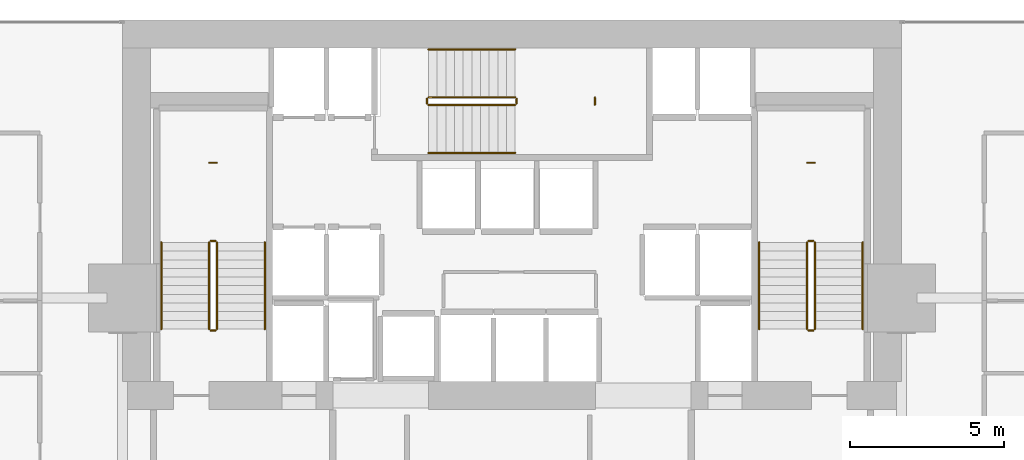
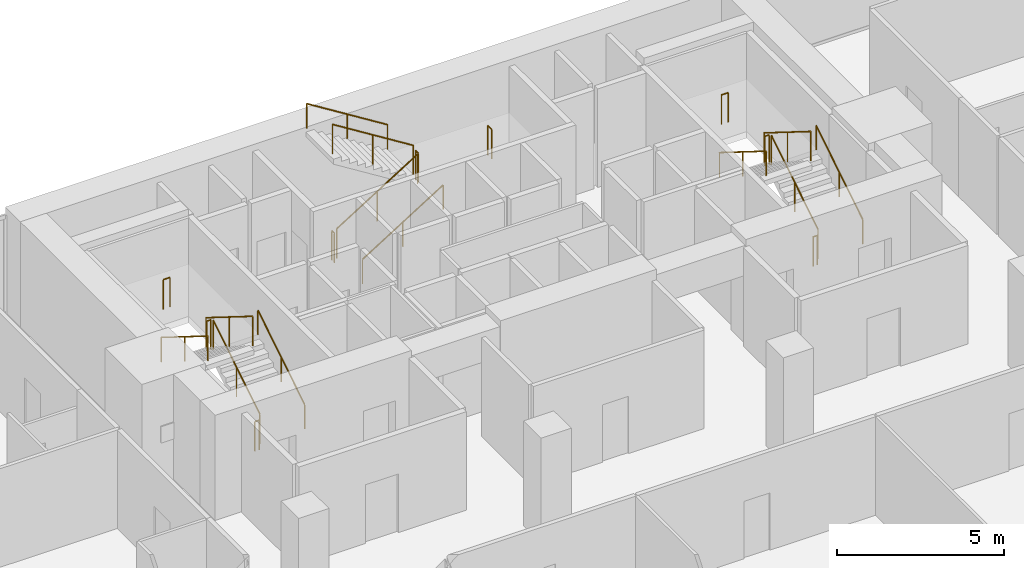
# One storey, part 40 of 40: 21 railings.
"""IFC4 building model written with IfcOpenShell, lengths in metres."""

from ifc_helpers import new_model, si_unit, direction, frame, origin, origin_2d, place, context, subcontext, project, spatial, circle, extrude, material, type_object, element, save


model = new_model("IFC4")

# Units and contexts
model_context = context("Model", 3, precision=1e-05, world=origin(), true_north=direction((0.0, 1.0)))
body_context = subcontext(model_context, "Body", "Model", "MODEL_VIEW")
ifc_project = project(units=[si_unit("LENGTHUNIT", "METRE"), si_unit("AREAUNIT", "SQUARE_METRE"), si_unit("VOLUMEUNIT", "CUBIC_METRE"), si_unit("PLANEANGLEUNIT", "RADIAN"), si_unit("MASSUNIT", "GRAM", prefix="KILO")], contexts=[model_context])

# Site, building, storey
site_placement = place(None, origin())
site = spatial("IfcSite", under=ifc_project, at=site_placement, CompositionType="ELEMENT")
building_placement = place(site_placement, origin())
building = spatial("IfcBuilding", under=site, at=building_placement, Name="Maruvema Waterfront Hotel and Observation Tower", CompositionType="ELEMENT")
storey_placement = place(building_placement, frame((0.0, 0.0, 88.550048828125)))
storey = spatial("IfcBuildingStorey", under=building, at=storey_placement, Name="L21", CompositionType="ELEMENT", Elevation=88.550048828125)

# Railings
ifc_material_1 = material(Name="Brushed stainless steel Grade 316", Category="steel")
railing_type_1 = type_object("IfcRailingType", Name="Ramp Continuous Wall Handrail 920 mm", PredefinedType="HANDRAIL", material=ifc_material_1)
railing_1_placement = place(storey_placement, frame((29.800048828125, 44.0, 0.175048828125)))
element("IfcRailing", 1, at=railing_1_placement, inside=storey, type_object=railing_type_1, Name="L21 ST-01 stair handrail 1", PredefinedType="HANDRAIL", context=body_context, shape_type="SweptSolid", body=[
    extrude(circle(Radius=0.02392578125, at=origin_2d()), frame((0.0, 0.0, 0.89599609375), z_axis=(0.0, 0.848002457836, 0.529992293815), x_axis=(-1.0, 0.0, 0.0)), (0.0, 0.0, 1.0), 3.302001953125),
    extrude(circle(Radius=0.02099609375, at=origin_2d()), origin(), (0.0, 0.0, 1.0), 0.871826171875),
    extrude(circle(Radius=0.02099609375, at=origin_2d()), frame((0.0, 1.39990234375, 0.875)), (0.0, 0.0, 1.0), 0.871826171875),
    extrude(circle(Radius=0.02099609375, at=origin_2d()), frame((0.0, 2.800048828125, 1.75)), (0.0, 0.0, 1.0), 0.871826171875),
])
railing_2_placement = place(storey_placement, frame((26.449951171875, 46.800048828125, 2.099853515625)))
element("IfcRailing", 2, at=railing_2_placement, inside=storey, type_object=railing_type_1, Name="L21 ST-01 stair handrail 2", PredefinedType="HANDRAIL", context=body_context, shape_type="SweptSolid", body=[
    extrude(circle(Radius=0.02392578125, at=origin_2d()), frame((0.0, 0.0, 0.89599609375), z_axis=(0.0, -0.848002457836, 0.529992293815), x_axis=(1.0, 0.0, 0.0)), (0.0, 0.0, 1.0), 3.302001953125),
    extrude(circle(Radius=0.02099609375, at=origin_2d()), origin(), (0.0, 0.0, 1.0), 0.871826171875),
    extrude(circle(Radius=0.02099609375, at=origin_2d()), frame((0.0, -1.39990234375, 0.875)), (0.0, 0.0, 1.0), 0.871826171875),
    extrude(circle(Radius=0.02099609375, at=origin_2d()), frame((0.0, -2.800048828125, 1.75)), (0.0, 0.0, 1.0), 0.871826171875),
])
railing_3_placement = place(storey_placement, frame((35.10009765625, 49.699951171875, 0.175048828125)))
element("IfcRailing", 3, at=railing_3_placement, inside=storey, type_object=railing_type_1, Name="L21 ST-02 stair handrail 1", PredefinedType="HANDRAIL", context=body_context, shape_type="SweptSolid", body=[
    extrude(circle(Radius=0.02392578125, at=origin_2d()), frame((0.0, 0.0, 0.89599609375), z_axis=(0.847981687118, 0.0, 0.530025526095), x_axis=(0.0, 1.0, 0.0)), (0.0, 0.0, 1.0), 3.3017578125),
    extrude(circle(Radius=0.02099609375, at=origin_2d()), origin(), (0.0, 0.0, 1.0), 0.871826171875),
    extrude(circle(Radius=0.02099609375, at=origin_2d()), frame((1.39990234375, 0.0, 0.875)), (0.0, 0.0, 1.0), 0.871826171875),
    extrude(circle(Radius=0.02099609375, at=origin_2d()), frame((2.7998046875, 0.0, 1.75)), (0.0, 0.0, 1.0), 0.871826171875),
])
railing_4_placement = place(storey_placement, frame((37.89990234375, 53.050048828125, 2.099853515625)))
element("IfcRailing", 4, at=railing_4_placement, inside=storey, type_object=railing_type_1, Name="L21 ST-02 stair handrail 2", PredefinedType="HANDRAIL", context=body_context, shape_type="SweptSolid", body=[
    extrude(circle(Radius=0.02392578125, at=origin_2d()), frame((0.0, 0.0, 0.89599609375), z_axis=(-0.847981687118, 0.0, 0.530025526095), x_axis=(0.0, -1.0, 0.0)), (0.0, 0.0, 1.0), 3.3017578125),
    extrude(circle(Radius=0.02099609375, at=origin_2d()), origin(), (0.0, 0.0, 1.0), 0.871826171875),
    extrude(circle(Radius=0.02099609375, at=origin_2d()), frame((-1.39990234375, 0.0, 0.875)), (0.0, 0.0, 1.0), 0.871826171875),
    extrude(circle(Radius=0.02099609375, at=origin_2d()), frame((-2.7998046875, 0.0, 1.75)), (0.0, 0.0, 1.0), 0.871826171875),
])
railing_5_placement = place(storey_placement, frame((49.14990234375, 44.0, 0.175048828125)))
element("IfcRailing", 5, at=railing_5_placement, inside=storey, type_object=railing_type_1, Name="L21 ST-03 stair handrail 1", PredefinedType="HANDRAIL", context=body_context, shape_type="SweptSolid", body=[
    extrude(circle(Radius=0.02392578125, at=origin_2d()), frame((0.0, 0.0, 0.89599609375), z_axis=(0.0, 0.848002457836, 0.529992293815), x_axis=(-1.0, 0.0, 0.0)), (0.0, 0.0, 1.0), 3.302001953125),
    extrude(circle(Radius=0.02099609375, at=origin_2d()), origin(), (0.0, 0.0, 1.0), 0.871826171875),
    extrude(circle(Radius=0.02099609375, at=origin_2d()), frame((0.0, 1.39990234375, 0.875)), (0.0, 0.0, 1.0), 0.871826171875),
    extrude(circle(Radius=0.02099609375, at=origin_2d()), frame((0.0, 2.800048828125, 1.75)), (0.0, 0.0, 1.0), 0.871826171875),
])
railing_6_placement = place(storey_placement, frame((45.800048828125, 46.800048828125, 2.099853515625)))
element("IfcRailing", 6, at=railing_6_placement, inside=storey, type_object=railing_type_1, Name="L21 ST-03 stair handrail 2", PredefinedType="HANDRAIL", context=body_context, shape_type="SweptSolid", body=[
    extrude(circle(Radius=0.02392578125, at=origin_2d()), frame((0.0, 0.0, 0.89599609375), z_axis=(0.0, -0.848002457836, 0.529992293815), x_axis=(1.0, 0.0, 0.0)), (0.0, 0.0, 1.0), 3.302001953125),
    extrude(circle(Radius=0.02099609375, at=origin_2d()), origin(), (0.0, 0.0, 1.0), 0.871826171875),
    extrude(circle(Radius=0.02099609375, at=origin_2d()), frame((0.0, -1.39990234375, 0.875)), (0.0, 0.0, 1.0), 0.871826171875),
    extrude(circle(Radius=0.02099609375, at=origin_2d()), frame((0.0, -2.800048828125, 1.75)), (0.0, 0.0, 1.0), 0.871826171875),
])
ifc_material_2 = material(Name="Brushed stainless steel Grade 316", Category="steel")
railing_type_2 = type_object("IfcRailingType", Name="Ramp and Terrace Guard Balustrade 1100 mm", PredefinedType="BALUSTRADE", material=ifc_material_2)
railing_7_placement = place(storey_placement, frame((28.25, 44.0, 0.175048828125)))
element("IfcRailing", 7, at=railing_7_placement, inside=storey, type_object=railing_type_2, Name="L21 ST-01 stair guard 1", PredefinedType="BALUSTRADE", context=body_context, shape_type="SweptSolid", body=[
    extrude(circle(Radius=0.02392578125, at=origin_2d()), frame((0.0, 0.0, 1.076171875), z_axis=(0.0, 0.848002457836, 0.529992293815), x_axis=(-1.0, 0.0, 0.0)), (0.0, 0.0, 1.0), 3.302001953125),
    extrude(circle(Radius=0.02099609375, at=origin_2d()), origin(), (0.0, 0.0, 1.0), 1.052001953125),
    extrude(circle(Radius=0.02099609375, at=origin_2d()), frame((0.0, 1.39990234375, 0.875)), (0.0, 0.0, 1.0), 1.052001953125),
    extrude(circle(Radius=0.02099609375, at=origin_2d()), frame((0.0, 2.800048828125, 1.75)), (0.0, 0.0, 1.0), 1.052001953125),
])
railing_8_placement = place(storey_placement, frame((28.199951171875, 46.85009765625, 1.925048828125)))
element("IfcRailing", 8, at=railing_8_placement, inside=storey, type_object=railing_type_2, Name="L21 ST-01 stair guard 2", PredefinedType="BALUSTRADE", context=body_context, shape_type="SweptSolid", body=[
    extrude(circle(Radius=0.02392578125, at=origin_2d()), frame((0.0, 0.0, 1.076171875), z_axis=(-1.0, 0.0, 0.0), x_axis=(0.0, -1.0, 0.0)), (0.0, 0.0, 1.0), 0.14990234375),
    extrude(circle(Radius=0.02099609375, at=origin_2d()), origin(), (0.0, 0.0, 1.0), 1.052001953125),
    extrude(circle(Radius=0.02099609375, at=origin_2d()), frame((-0.14990234375, 0.0, 0.0)), (0.0, 0.0, 1.0), 1.052001953125),
])
railing_9_placement = place(storey_placement, frame((28.0, 46.800048828125, 2.099853515625)))
element("IfcRailing", 9, at=railing_9_placement, inside=storey, type_object=railing_type_2, Name="L21 ST-01 stair guard 3", PredefinedType="BALUSTRADE", context=body_context, shape_type="SweptSolid", body=[
    extrude(circle(Radius=0.02392578125, at=origin_2d()), frame((0.0, 0.0, 1.076171875), z_axis=(0.0, -0.848002457836, 0.529992293815), x_axis=(1.0, 0.0, 0.0)), (0.0, 0.0, 1.0), 3.302001953125),
    extrude(circle(Radius=0.02099609375, at=origin_2d()), origin(), (0.0, 0.0, 1.0), 1.052001953125),
    extrude(circle(Radius=0.02099609375, at=origin_2d()), frame((0.0, -1.39990234375, 0.875)), (0.0, 0.0, 1.0), 1.052001953125),
    extrude(circle(Radius=0.02099609375, at=origin_2d()), frame((0.0, -2.800048828125, 1.75)), (0.0, 0.0, 1.0), 1.052001953125),
])
railing_10_placement = place(storey_placement, frame((28.199951171875, 43.949951171875, 0.0)))
element("IfcRailing", 10, at=railing_10_placement, inside=storey, type_object=railing_type_2, Name="L21 ST-01 stair guard 4", PredefinedType="BALUSTRADE", context=body_context, shape_type="SweptSolid", body=[
    extrude(circle(Radius=0.02392578125, at=origin_2d()), frame((0.0, 0.0, 1.076171875), z_axis=(-1.0, 0.0, 0.0), x_axis=(0.0, -1.0, 0.0)), (0.0, 0.0, 1.0), 0.14990234375),
    extrude(circle(Radius=0.02099609375, at=origin_2d()), origin(), (0.0, 0.0, 1.0), 1.052001953125),
    extrude(circle(Radius=0.02099609375, at=origin_2d()), frame((-0.14990234375, 0.0, 0.0)), (0.0, 0.0, 1.0), 1.052001953125),
])
railing_11_placement = place(storey_placement, frame((28.239990234375, 49.3798828125, 1.925048828125)))
element("IfcRailing", 11, at=railing_11_placement, inside=storey, type_object=railing_type_2, Name="L21 ST-01 Half-Landing Slot Guard", PredefinedType="BALUSTRADE", context=body_context, shape_type="SweptSolid", body=[
    extrude(circle(Radius=0.02392578125, at=origin_2d()), frame((0.0, 0.0, 1.076171875), z_axis=(-1.0, 0.0, 0.0), x_axis=(0.0, -1.0, 0.0)), (0.0, 0.0, 1.0), 0.22998046875),
    extrude(circle(Radius=0.02099609375, at=origin_2d()), origin(), (0.0, 0.0, 1.0), 1.052001953125),
    extrude(circle(Radius=0.02099609375, at=origin_2d()), frame((-0.22998046875, 0.0, 0.0)), (0.0, 0.0, 1.0), 1.052001953125),
])
railing_12_placement = place(storey_placement, frame((35.10009765625, 51.25, 0.175048828125)))
element("IfcRailing", 12, at=railing_12_placement, inside=storey, type_object=railing_type_2, Name="L21 ST-02 stair guard 1", PredefinedType="BALUSTRADE", context=body_context, shape_type="SweptSolid", body=[
    extrude(circle(Radius=0.02392578125, at=origin_2d()), frame((0.0, 0.0, 1.076171875), z_axis=(0.847981687118, 0.0, 0.530025526095), x_axis=(0.0, 1.0, 0.0)), (0.0, 0.0, 1.0), 3.3017578125),
    extrude(circle(Radius=0.02099609375, at=origin_2d()), origin(), (0.0, 0.0, 1.0), 1.052001953125),
    extrude(circle(Radius=0.02099609375, at=origin_2d()), frame((1.39990234375, 0.0, 0.875)), (0.0, 0.0, 1.0), 1.052001953125),
    extrude(circle(Radius=0.02099609375, at=origin_2d()), frame((2.7998046875, 0.0, 1.75)), (0.0, 0.0, 1.0), 1.052001953125),
])
railing_13_placement = place(storey_placement, frame((37.949951171875, 51.300048828125, 1.925048828125)))
element("IfcRailing", 13, at=railing_13_placement, inside=storey, type_object=railing_type_2, Name="L21 ST-02 stair guard 2", PredefinedType="BALUSTRADE", context=body_context, shape_type="SweptSolid", body=[
    extrude(circle(Radius=0.02392578125, at=origin_2d()), frame((0.0, 0.0, 1.076171875), z_axis=(0.0, 1.0, 0.0), x_axis=(-1.0, 0.0, 0.0)), (0.0, 0.0, 1.0), 0.14990234375),
    extrude(circle(Radius=0.02099609375, at=origin_2d()), origin(), (0.0, 0.0, 1.0), 1.052001953125),
    extrude(circle(Radius=0.02099609375, at=origin_2d()), frame((0.0, 0.14990234375, 0.0)), (0.0, 0.0, 1.0), 1.052001953125),
])
railing_14_placement = place(storey_placement, frame((37.89990234375, 51.5, 2.099853515625)))
element("IfcRailing", 14, at=railing_14_placement, inside=storey, type_object=railing_type_2, Name="L21 ST-02 stair guard 3", PredefinedType="BALUSTRADE", context=body_context, shape_type="SweptSolid", body=[
    extrude(circle(Radius=0.02392578125, at=origin_2d()), frame((0.0, 0.0, 1.076171875), z_axis=(-0.847981687118, 0.0, 0.530025526095), x_axis=(0.0, -1.0, 0.0)), (0.0, 0.0, 1.0), 3.3017578125),
    extrude(circle(Radius=0.02099609375, at=origin_2d()), origin(), (0.0, 0.0, 1.0), 1.052001953125),
    extrude(circle(Radius=0.02099609375, at=origin_2d()), frame((-1.39990234375, 0.0, 0.875)), (0.0, 0.0, 1.0), 1.052001953125),
    extrude(circle(Radius=0.02099609375, at=origin_2d()), frame((-2.7998046875, 0.0, 1.75)), (0.0, 0.0, 1.0), 1.052001953125),
])
railing_15_placement = place(storey_placement, frame((35.050048828125, 51.300048828125, 0.0)))
element("IfcRailing", 15, at=railing_15_placement, inside=storey, type_object=railing_type_2, Name="L21 ST-02 stair guard 4", PredefinedType="BALUSTRADE", context=body_context, shape_type="SweptSolid", body=[
    extrude(circle(Radius=0.02392578125, at=origin_2d()), frame((0.0, 0.0, 1.076171875), z_axis=(0.0, 1.0, 0.0), x_axis=(-1.0, 0.0, 0.0)), (0.0, 0.0, 1.0), 0.14990234375),
    extrude(circle(Radius=0.02099609375, at=origin_2d()), origin(), (0.0, 0.0, 1.0), 1.052001953125),
    extrude(circle(Radius=0.02099609375, at=origin_2d()), frame((0.0, 0.14990234375, 0.0)), (0.0, 0.0, 1.0), 1.052001953125),
])
railing_16_placement = place(storey_placement, frame((40.47998046875, 51.260009765625, 1.925048828125)))
element("IfcRailing", 16, at=railing_16_placement, inside=storey, type_object=railing_type_2, Name="L21 ST-02 Half-Landing Slot Guard", PredefinedType="BALUSTRADE", context=body_context, shape_type="SweptSolid", body=[
    extrude(circle(Radius=0.02392578125, at=origin_2d()), frame((0.0, 0.0, 1.076171875), z_axis=(0.0, 1.0, 0.0), x_axis=(-1.0, 0.0, 0.0)), (0.0, 0.0, 1.0), 0.22998046875),
    extrude(circle(Radius=0.02099609375, at=origin_2d()), origin(), (0.0, 0.0, 1.0), 1.052001953125),
    extrude(circle(Radius=0.02099609375, at=origin_2d()), frame((0.0, 0.22998046875, 0.0)), (0.0, 0.0, 1.0), 1.052001953125),
])
railing_17_placement = place(storey_placement, frame((47.60009765625, 44.0, 0.175048828125)))
element("IfcRailing", 17, at=railing_17_placement, inside=storey, type_object=railing_type_2, Name="L21 ST-03 stair guard 1", PredefinedType="BALUSTRADE", context=body_context, shape_type="SweptSolid", body=[
    extrude(circle(Radius=0.02392578125, at=origin_2d()), frame((0.0, 0.0, 1.076171875), z_axis=(0.0, 0.848002457836, 0.529992293815), x_axis=(-1.0, 0.0, 0.0)), (0.0, 0.0, 1.0), 3.302001953125),
    extrude(circle(Radius=0.02099609375, at=origin_2d()), origin(), (0.0, 0.0, 1.0), 1.052001953125),
    extrude(circle(Radius=0.02099609375, at=origin_2d()), frame((0.0, 1.39990234375, 0.875)), (0.0, 0.0, 1.0), 1.052001953125),
    extrude(circle(Radius=0.02099609375, at=origin_2d()), frame((0.0, 2.800048828125, 1.75)), (0.0, 0.0, 1.0), 1.052001953125),
])
railing_18_placement = place(storey_placement, frame((47.550048828125, 46.85009765625, 1.925048828125)))
element("IfcRailing", 18, at=railing_18_placement, inside=storey, type_object=railing_type_2, Name="L21 ST-03 stair guard 2", PredefinedType="BALUSTRADE", context=body_context, shape_type="SweptSolid", body=[
    extrude(circle(Radius=0.02392578125, at=origin_2d()), frame((0.0, 0.0, 1.076171875), z_axis=(-1.0, 0.0, 0.0), x_axis=(0.0, -1.0, 0.0)), (0.0, 0.0, 1.0), 0.150146484375),
    extrude(circle(Radius=0.02099609375, at=origin_2d()), origin(), (0.0, 0.0, 1.0), 1.052001953125),
    extrude(circle(Radius=0.02099609375, at=origin_2d()), frame((-0.150146484375, 0.0, 0.0)), (0.0, 0.0, 1.0), 1.052001953125),
])
railing_19_placement = place(storey_placement, frame((47.35009765625, 46.800048828125, 2.099853515625)))
element("IfcRailing", 19, at=railing_19_placement, inside=storey, type_object=railing_type_2, Name="L21 ST-03 stair guard 3", PredefinedType="BALUSTRADE", context=body_context, shape_type="SweptSolid", body=[
    extrude(circle(Radius=0.02392578125, at=origin_2d()), frame((0.0, 0.0, 1.076171875), z_axis=(0.0, -0.848002457836, 0.529992293815), x_axis=(1.0, 0.0, 0.0)), (0.0, 0.0, 1.0), 3.302001953125),
    extrude(circle(Radius=0.02099609375, at=origin_2d()), origin(), (0.0, 0.0, 1.0), 1.052001953125),
    extrude(circle(Radius=0.02099609375, at=origin_2d()), frame((0.0, -1.39990234375, 0.875)), (0.0, 0.0, 1.0), 1.052001953125),
    extrude(circle(Radius=0.02099609375, at=origin_2d()), frame((0.0, -2.800048828125, 1.75)), (0.0, 0.0, 1.0), 1.052001953125),
])
railing_20_placement = place(storey_placement, frame((47.550048828125, 43.949951171875, 0.0)))
element("IfcRailing", 20, at=railing_20_placement, inside=storey, type_object=railing_type_2, Name="L21 ST-03 stair guard 4", PredefinedType="BALUSTRADE", context=body_context, shape_type="SweptSolid", body=[
    extrude(circle(Radius=0.02392578125, at=origin_2d()), frame((0.0, 0.0, 1.076171875), z_axis=(-1.0, 0.0, 0.0), x_axis=(0.0, -1.0, 0.0)), (0.0, 0.0, 1.0), 0.150146484375),
    extrude(circle(Radius=0.02099609375, at=origin_2d()), origin(), (0.0, 0.0, 1.0), 1.052001953125),
    extrude(circle(Radius=0.02099609375, at=origin_2d()), frame((-0.150146484375, 0.0, 0.0)), (0.0, 0.0, 1.0), 1.052001953125),
])
railing_21_placement = place(storey_placement, frame((47.590087890625, 49.3798828125, 1.925048828125)))
element("IfcRailing", 21, at=railing_21_placement, inside=storey, type_object=railing_type_2, Name="L21 ST-03 Half-Landing Slot Guard", PredefinedType="BALUSTRADE", context=body_context, shape_type="SweptSolid", body=[
    extrude(circle(Radius=0.02392578125, at=origin_2d()), frame((0.0, 0.0, 1.076171875), z_axis=(-1.0, 0.0, 0.0), x_axis=(0.0, -1.0, 0.0)), (0.0, 0.0, 1.0), 0.22998046875),
    extrude(circle(Radius=0.02099609375, at=origin_2d()), origin(), (0.0, 0.0, 1.0), 1.052001953125),
    extrude(circle(Radius=0.02099609375, at=origin_2d()), frame((-0.22998046875, 0.0, 0.0)), (0.0, 0.0, 1.0), 1.052001953125),
])

save(model, "model.ifc")
